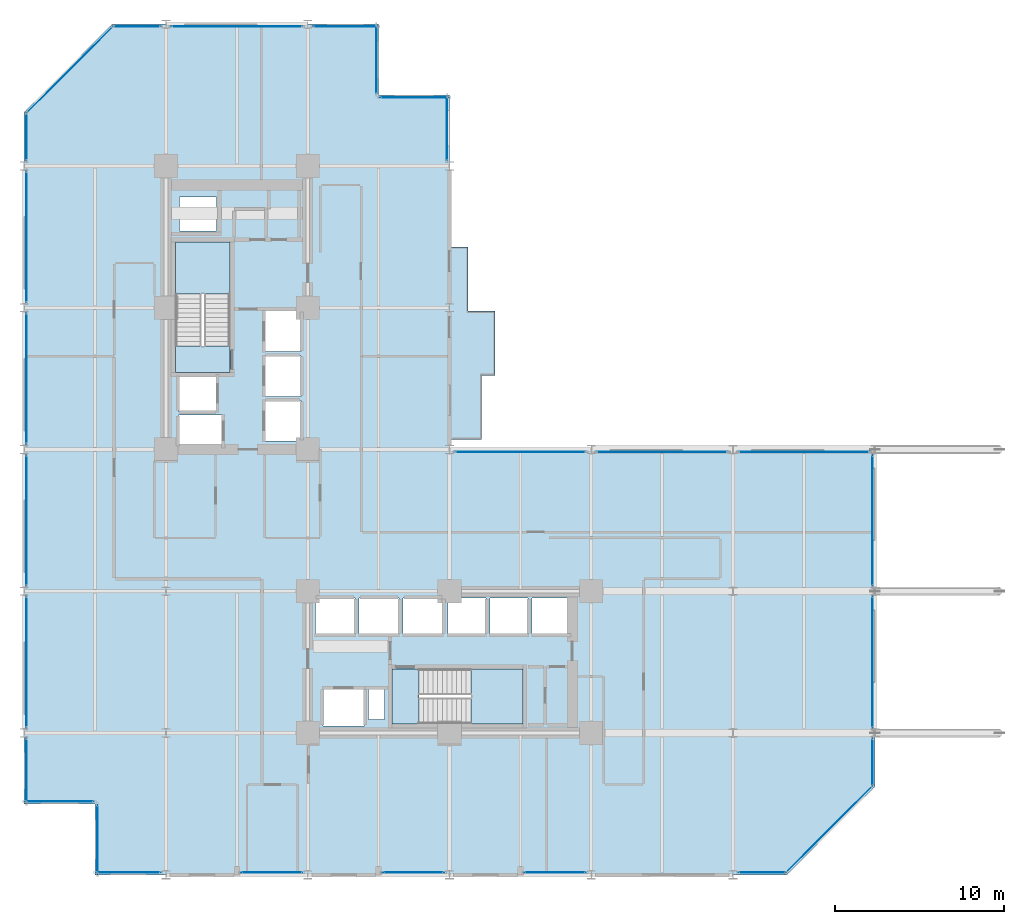
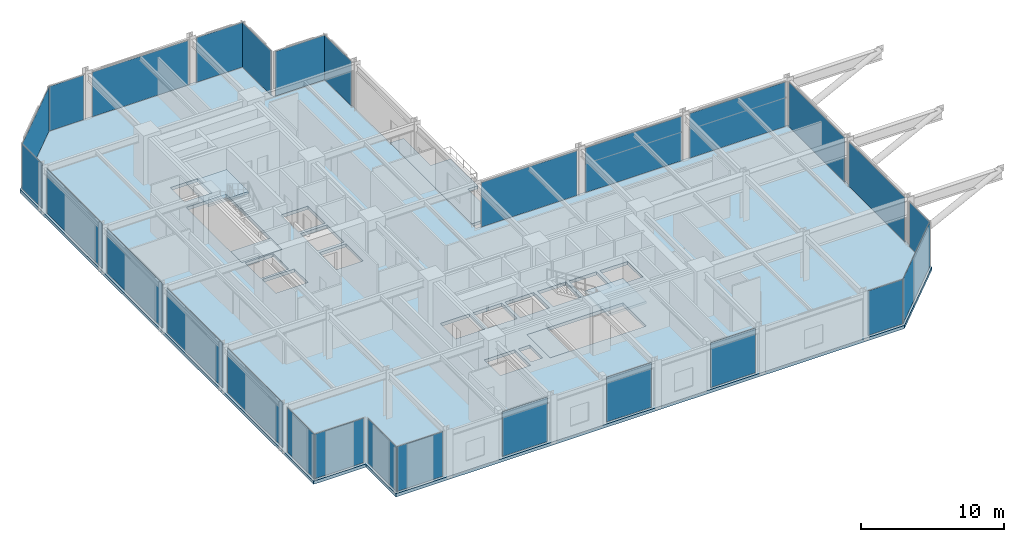
# One storey, part 18 of 25: 27 plates, 6 slabs, 29 elements without a shape of their own.
"""IFC4 building model written with IfcOpenShell, lengths in metres."""

from ifc_helpers import new_model, si_unit, direction, frame, origin, origin_2d, place, context, subcontext, project, spatial, polyline, rectangle, outline, extrude, material, layer, layer_set, type_object, element, aggregate, save


model = new_model("IFC4")

# Units and contexts
model_context = context("Model", 3, precision=1e-05, world=origin(), true_north=direction((0.0, 1.0)))
body_context = subcontext(model_context, "Body", "Model", "MODEL_VIEW")
ifc_project = project(units=[si_unit("LENGTHUNIT", "METRE"), si_unit("AREAUNIT", "SQUARE_METRE"), si_unit("VOLUMEUNIT", "CUBIC_METRE"), si_unit("PLANEANGLEUNIT", "RADIAN"), si_unit("MASSUNIT", "GRAM", prefix="KILO")], contexts=[model_context])

# Site, building, storey
site_placement = place(None, origin())
site = spatial("IfcSite", under=ifc_project, at=site_placement, CompositionType="ELEMENT")
building_placement = place(site_placement, origin())
building = spatial("IfcBuilding", under=site, at=building_placement, Name="Nerrivon Quay Data Exchange", CompositionType="ELEMENT")
storey_placement = place(building_placement, frame((0.0, 0.0, 58.39990234375)))
storey = spatial("IfcBuildingStorey", under=building, at=storey_placement, Name="L13", CompositionType="ELEMENT", Elevation=58.39990234375)

# Curtain wall, plate
ifc_material_1 = material(Name="Anodised aluminium 6063-T6", Category="aluminium")
ifc_layer_1 = layer(ifc_material_1, 0.219970703125)
ifc_layer_set_1 = layer_set([ifc_layer_1], Name="Anodised aluminium 6063-T6")
curtain_wall_type = type_object("IfcCurtainWallType", Name="CW-SYS-01", PredefinedType="NOTDEFINED", material=ifc_layer_set_1)
curtain_wall_1_placement = place(storey_placement, origin())
curtain_wall_1 = element("IfcCurtainWall", 1, at=curtain_wall_1_placement, inside=storey, type_object=curtain_wall_type, Name="L13 Unitised Curtain Wall 1", PredefinedType="NOTDEFINED")
ifc_material_2 = material(Name="Double-glazed low-E solar control glass", Category="glass")
ifc_layer_2 = layer(ifc_material_2, 0.028076171875)
ifc_layer_set_2 = layer_set([ifc_layer_2], Name="Double-glazed low-E solar control glass")
plate_type = type_object("IfcPlateType", Name="CWP-GLZ-28", PredefinedType="CURTAIN_PANEL", material=ifc_layer_set_2)
plate_1_placement = place(storey_placement, frame((47.700927734375, 2.698974609375, 0.065185546875), z_axis=(0.0, 0.0, 1.0), x_axis=(-0.707106781187, -0.707106781187, 0.0)))
plate_1 = element("IfcPlate", 2, at=plate_1_placement, type_object=plate_type, Name="CW01 panel 1.1", PredefinedType="CURTAIN_PANEL", context=body_context, shape_type="SweptSolid", body=[
    extrude(rectangle(XDim=7.203857421875, YDim=0.028076171875, at=origin_2d()), origin(), (0.0, 0.0, 1.0), 3.794921875),
])
aggregate(curtain_wall_1, [plate_1])

curtain_wall_2_placement = place(storey_placement, origin())
curtain_wall_2 = element("IfcCurtainWall", 3, at=curtain_wall_2_placement, inside=storey, type_object=curtain_wall_type, Name="L13 Unitised Curtain Wall 2", PredefinedType="NOTDEFINED")
plate_2_placement = place(storey_placement, frame((43.72509765625, 0.139892578125, 0.065185546875), z_axis=(0.0, 0.0, 1.0), x_axis=(-1.0, 0.0, 0.0)))
plate_2 = element("IfcPlate", 4, at=plate_2_placement, type_object=plate_type, Name="CW01 panel 1.1", PredefinedType="CURTAIN_PANEL", context=body_context, shape_type="SweptSolid", body=[
    extrude(rectangle(XDim=2.800048828125, YDim=0.028076171875, at=origin_2d()), origin(), (0.0, 0.0, 1.0), 3.794921875),
])
aggregate(curtain_wall_2, [plate_2])

curtain_wall_3_placement = place(storey_placement, origin())
curtain_wall_3 = element("IfcCurtainWall", 5, at=curtain_wall_3_placement, inside=storey, type_object=curtain_wall_type, Name="L13 Unitised Curtain Wall 4", PredefinedType="NOTDEFINED")
plate_3_placement = place(storey_placement, frame((31.46240234375, 0.139892578125, 0.065185546875), z_axis=(0.0, 0.0, 1.0), x_axis=(-1.0, 0.0, 0.0)))
plate_3 = element("IfcPlate", 6, at=plate_3_placement, type_object=plate_type, Name="CW01 panel 1.1", PredefinedType="CURTAIN_PANEL", context=body_context, shape_type="SweptSolid", body=[
    extrude(rectangle(XDim=3.625, YDim=0.028076171875, at=origin_2d()), origin(), (0.0, 0.0, 1.0), 3.794921875),
])
aggregate(curtain_wall_3, [plate_3])

curtain_wall_4_placement = place(storey_placement, origin())
curtain_wall_4 = element("IfcCurtainWall", 7, at=curtain_wall_4_placement, inside=storey, type_object=curtain_wall_type, Name="L13 Unitised Curtain Wall 6", PredefinedType="NOTDEFINED")
plate_4_placement = place(storey_placement, frame((23.0625, 0.139892578125, 0.065185546875), z_axis=(0.0, 0.0, 1.0), x_axis=(-1.0, 0.0, 0.0)))
plate_4 = element("IfcPlate", 8, at=plate_4_placement, type_object=plate_type, Name="CW01 panel 1.1", PredefinedType="CURTAIN_PANEL", context=body_context, shape_type="SweptSolid", body=[
    extrude(rectangle(XDim=3.625, YDim=0.028076171875, at=origin_2d()), origin(), (0.0, 0.0, 1.0), 3.794921875),
])
aggregate(curtain_wall_4, [plate_4])

curtain_wall_5_placement = place(storey_placement, origin())
curtain_wall_5 = element("IfcCurtainWall", 9, at=curtain_wall_5_placement, inside=storey, type_object=curtain_wall_type, Name="L13 Unitised Curtain Wall 8", PredefinedType="NOTDEFINED")
plate_5_placement = place(storey_placement, frame((14.66259765625, 0.139892578125, 0.065185546875), z_axis=(0.0, 0.0, 1.0), x_axis=(-1.0, 0.0, 0.0)))
plate_5 = element("IfcPlate", 10, at=plate_5_placement, type_object=plate_type, Name="CW01 panel 1.1", PredefinedType="CURTAIN_PANEL", context=body_context, shape_type="SweptSolid", body=[
    extrude(rectangle(XDim=3.625, YDim=0.028076171875, at=origin_2d()), origin(), (0.0, 0.0, 1.0), 3.794921875),
])
aggregate(curtain_wall_5, [plate_5])

curtain_wall_6_placement = place(storey_placement, origin())
curtain_wall_6 = element("IfcCurtainWall", 11, at=curtain_wall_6_placement, inside=storey, type_object=curtain_wall_type, Name="L13 Unitised Curtain Wall 10", PredefinedType="NOTDEFINED")
plate_6_placement = place(storey_placement, frame((6.175048828125, 0.139892578125, 0.065185546875), z_axis=(0.0, 0.0, 1.0), x_axis=(-1.0, 0.0, 0.0)))
plate_6 = element("IfcPlate", 12, at=plate_6_placement, type_object=plate_type, Name="CW01 panel 1.1", PredefinedType="CURTAIN_PANEL", context=body_context, shape_type="SweptSolid", body=[
    extrude(rectangle(XDim=3.800048828125, YDim=0.028076171875, at=origin_2d()), origin(), (0.0, 0.0, 1.0), 3.794921875),
])
aggregate(curtain_wall_6, [plate_6])

curtain_wall_7_placement = place(storey_placement, origin())
curtain_wall_7 = element("IfcCurtainWall", 13, at=curtain_wall_7_placement, inside=storey, type_object=curtain_wall_type, Name="L13 Unitised Curtain Wall 11", PredefinedType="NOTDEFINED")
plate_7_placement = place(storey_placement, frame((4.340087890625, 2.10009765625, 0.065185546875), z_axis=(0.0, 0.0, 1.0), x_axis=(0.0, 1.0, 0.0)))
plate_7 = element("IfcPlate", 14, at=plate_7_placement, type_object=plate_type, Name="CW01 panel 1.1", PredefinedType="CURTAIN_PANEL", context=body_context, shape_type="SweptSolid", body=[
    extrude(rectangle(XDim=4.050048828125, YDim=0.028076171875, at=origin_2d()), origin(), (0.0, 0.0, 1.0), 3.794921875),
])
aggregate(curtain_wall_7, [plate_7])

curtain_wall_8_placement = place(storey_placement, origin())
curtain_wall_8 = element("IfcCurtainWall", 15, at=curtain_wall_8_placement, inside=storey, type_object=curtain_wall_type, Name="L13 Unitised Curtain Wall 12", PredefinedType="NOTDEFINED")
plate_8_placement = place(storey_placement, frame((2.10009765625, 4.340087890625, 0.065185546875), z_axis=(0.0, 0.0, 1.0), x_axis=(-1.0, 0.0, 0.0)))
plate_8 = element("IfcPlate", 16, at=plate_8_placement, type_object=plate_type, Name="CW01 panel 1.1", PredefinedType="CURTAIN_PANEL", context=body_context, shape_type="SweptSolid", body=[
    extrude(rectangle(XDim=4.050048828125, YDim=0.028076171875, at=origin_2d()), origin(), (0.0, 0.0, 1.0), 3.794921875),
])
aggregate(curtain_wall_8, [plate_8])

curtain_wall_9_placement = place(storey_placement, origin())
curtain_wall_9 = element("IfcCurtainWall", 17, at=curtain_wall_9_placement, inside=storey, type_object=curtain_wall_type, Name="L13 Unitised Curtain Wall 13", PredefinedType="NOTDEFINED")
plate_9_placement = place(storey_placement, frame((0.139892578125, 6.175048828125, 0.065185546875), z_axis=(0.0, 0.0, 1.0), x_axis=(0.0, 1.0, 0.0)))
plate_9 = element("IfcPlate", 18, at=plate_9_placement, type_object=plate_type, Name="CW01 panel 1.1", PredefinedType="CURTAIN_PANEL", context=body_context, shape_type="SweptSolid", body=[
    extrude(rectangle(XDim=3.800048828125, YDim=0.028076171875, at=origin_2d()), origin(), (0.0, 0.0, 1.0), 3.794921875),
])
aggregate(curtain_wall_9, [plate_9])

curtain_wall_10_placement = place(storey_placement, origin())
curtain_wall_10 = element("IfcCurtainWall", 19, at=curtain_wall_10_placement, inside=storey, type_object=curtain_wall_type, Name="L13 Unitised Curtain Wall 14", PredefinedType="NOTDEFINED")
plate_10_placement = place(storey_placement, frame((0.139892578125, 12.60009765625, 0.065185546875), z_axis=(0.0, 0.0, 1.0), x_axis=(0.0, 1.0, 0.0)))
plate_10 = element("IfcPlate", 20, at=plate_10_placement, type_object=plate_type, Name="CW01 panel 1.1", PredefinedType="CURTAIN_PANEL", context=body_context, shape_type="SweptSolid", body=[
    extrude(rectangle(XDim=7.75, YDim=0.028076171875, at=origin_2d()), origin(), (0.0, 0.0, 1.0), 3.794921875),
])
aggregate(curtain_wall_10, [plate_10])

curtain_wall_11_placement = place(storey_placement, origin())
curtain_wall_11 = element("IfcCurtainWall", 21, at=curtain_wall_11_placement, inside=storey, type_object=curtain_wall_type, Name="L13 Unitised Curtain Wall 15", PredefinedType="NOTDEFINED")
plate_11_placement = place(storey_placement, frame((0.139892578125, 21.0, 0.065185546875), z_axis=(0.0, 0.0, 1.0), x_axis=(0.0, 1.0, 0.0)))
plate_11 = element("IfcPlate", 22, at=plate_11_placement, type_object=plate_type, Name="CW01 panel 1.1", PredefinedType="CURTAIN_PANEL", context=body_context, shape_type="SweptSolid", body=[
    extrude(rectangle(XDim=7.75, YDim=0.028076171875, at=origin_2d()), origin(), (0.0, 0.0, 1.0), 3.794921875),
])
aggregate(curtain_wall_11, [plate_11])

curtain_wall_12_placement = place(storey_placement, origin())
curtain_wall_12 = element("IfcCurtainWall", 23, at=curtain_wall_12_placement, inside=storey, type_object=curtain_wall_type, Name="L13 Unitised Curtain Wall 16", PredefinedType="NOTDEFINED")
plate_12_placement = place(storey_placement, frame((0.139892578125, 29.39990234375, 0.065185546875), z_axis=(0.0, 0.0, 1.0), x_axis=(0.0, 1.0, 0.0)))
plate_12 = element("IfcPlate", 24, at=plate_12_placement, type_object=plate_type, Name="CW01 panel 1.1", PredefinedType="CURTAIN_PANEL", context=body_context, shape_type="SweptSolid", body=[
    extrude(rectangle(XDim=7.75, YDim=0.028076171875, at=origin_2d()), origin(), (0.0, 0.0, 1.0), 3.794921875),
])
aggregate(curtain_wall_12, [plate_12])

curtain_wall_13_placement = place(storey_placement, origin())
curtain_wall_13 = element("IfcCurtainWall", 25, at=curtain_wall_13_placement, inside=storey, type_object=curtain_wall_type, Name="L13 Unitised Curtain Wall 17", PredefinedType="NOTDEFINED")
plate_13_placement = place(storey_placement, frame((0.139892578125, 37.800048828125, 0.065185546875), z_axis=(0.0, 0.0, 1.0), x_axis=(0.0, 1.0, 0.0)))
plate_13 = element("IfcPlate", 26, at=plate_13_placement, type_object=plate_type, Name="CW01 panel 1.1", PredefinedType="CURTAIN_PANEL", context=body_context, shape_type="SweptSolid", body=[
    extrude(rectangle(XDim=7.75, YDim=0.028076171875, at=origin_2d()), origin(), (0.0, 0.0, 1.0), 3.794921875),
])
aggregate(curtain_wall_13, [plate_13])

curtain_wall_14_placement = place(storey_placement, origin())
curtain_wall_14 = element("IfcCurtainWall", 27, at=curtain_wall_14_placement, inside=storey, type_object=curtain_wall_type, Name="L13 Unitised Curtain Wall 18", PredefinedType="NOTDEFINED")
plate_14_placement = place(storey_placement, frame((0.139892578125, 43.72509765625, 0.065185546875), z_axis=(0.0, 0.0, 1.0), x_axis=(0.0, 1.0, 0.0)))
plate_14 = element("IfcPlate", 28, at=plate_14_placement, type_object=plate_type, Name="CW01 panel 1.1", PredefinedType="CURTAIN_PANEL", context=body_context, shape_type="SweptSolid", body=[
    extrude(rectangle(XDim=2.800048828125, YDim=0.028076171875, at=origin_2d()), origin(), (0.0, 0.0, 1.0), 3.794921875),
])
aggregate(curtain_wall_14, [plate_14])

curtain_wall_15_placement = place(storey_placement, origin())
curtain_wall_15 = element("IfcCurtainWall", 29, at=curtain_wall_15_placement, inside=storey, type_object=curtain_wall_type, Name="L13 Unitised Curtain Wall 19", PredefinedType="NOTDEFINED")
plate_15_placement = place(storey_placement, frame((2.698974609375, 47.700927734375, 0.065185546875), z_axis=(0.0, 0.0, 1.0), x_axis=(0.707106781187, 0.707106781187, 0.0)))
plate_15 = element("IfcPlate", 30, at=plate_15_placement, type_object=plate_type, Name="CW01 panel 1.1", PredefinedType="CURTAIN_PANEL", context=body_context, shape_type="SweptSolid", body=[
    extrude(rectangle(XDim=7.203857421875, YDim=0.028076171875, at=origin_2d()), origin(), (0.0, 0.0, 1.0), 3.794921875),
])
aggregate(curtain_wall_15, [plate_15])

curtain_wall_16_placement = place(storey_placement, origin())
curtain_wall_16 = element("IfcCurtainWall", 31, at=curtain_wall_16_placement, inside=storey, type_object=curtain_wall_type, Name="L13 Unitised Curtain Wall 20", PredefinedType="NOTDEFINED")
plate_16_placement = place(storey_placement, frame((6.675048828125, 50.260009765625, 0.065185546875), z_axis=(0.0, 0.0, 1.0), x_axis=(1.0, 0.0, 0.0)))
plate_16 = element("IfcPlate", 32, at=plate_16_placement, type_object=plate_type, Name="CW01 panel 1.1", PredefinedType="CURTAIN_PANEL", context=body_context, shape_type="SweptSolid", body=[
    extrude(rectangle(XDim=2.800048828125, YDim=0.028076171875, at=origin_2d()), origin(), (0.0, 0.0, 1.0), 3.794921875),
])
aggregate(curtain_wall_16, [plate_16])

curtain_wall_17_placement = place(storey_placement, origin())
curtain_wall_17 = element("IfcCurtainWall", 33, at=curtain_wall_17_placement, inside=storey, type_object=curtain_wall_type, Name="L13 Unitised Curtain Wall 21", PredefinedType="NOTDEFINED")
plate_17_placement = place(storey_placement, frame((12.60009765625, 50.260009765625, 0.065185546875), z_axis=(0.0, 0.0, 1.0), x_axis=(1.0, 0.0, 0.0)))
plate_17 = element("IfcPlate", 34, at=plate_17_placement, type_object=plate_type, Name="CW01 panel 1.1", PredefinedType="CURTAIN_PANEL", context=body_context, shape_type="SweptSolid", body=[
    extrude(rectangle(XDim=7.75, YDim=0.028076171875, at=origin_2d()), origin(), (0.0, 0.0, 1.0), 3.794921875),
])
aggregate(curtain_wall_17, [plate_17])

curtain_wall_18_placement = place(storey_placement, origin())
curtain_wall_18 = element("IfcCurtainWall", 35, at=curtain_wall_18_placement, inside=storey, type_object=curtain_wall_type, Name="L13 Unitised Curtain Wall 22", PredefinedType="NOTDEFINED")
plate_18_placement = place(storey_placement, frame((19.02490234375, 50.260009765625, 0.065185546875), z_axis=(0.0, 0.0, 1.0), x_axis=(1.0, 0.0, 0.0)))
plate_18 = element("IfcPlate", 36, at=plate_18_placement, type_object=plate_type, Name="CW01 panel 1.1", PredefinedType="CURTAIN_PANEL", context=body_context, shape_type="SweptSolid", body=[
    extrude(rectangle(XDim=3.800048828125, YDim=0.028076171875, at=origin_2d()), origin(), (0.0, 0.0, 1.0), 3.794921875),
])
aggregate(curtain_wall_18, [plate_18])

curtain_wall_19_placement = place(storey_placement, origin())
curtain_wall_19 = element("IfcCurtainWall", 37, at=curtain_wall_19_placement, inside=storey, type_object=curtain_wall_type, Name="L13 Unitised Curtain Wall 23", PredefinedType="NOTDEFINED")
plate_19_placement = place(storey_placement, frame((20.860107421875, 48.300048828125, 0.065185546875), z_axis=(0.0, 0.0, 1.0), x_axis=(0.0, -1.0, 0.0)))
plate_19 = element("IfcPlate", 38, at=plate_19_placement, type_object=plate_type, Name="CW01 panel 1.1", PredefinedType="CURTAIN_PANEL", context=body_context, shape_type="SweptSolid", body=[
    extrude(rectangle(XDim=4.050048828125, YDim=0.028076171875, at=origin_2d()), origin(), (0.0, 0.0, 1.0), 3.794921875),
])
aggregate(curtain_wall_19, [plate_19])

curtain_wall_20_placement = place(storey_placement, origin())
curtain_wall_20 = element("IfcCurtainWall", 39, at=curtain_wall_20_placement, inside=storey, type_object=curtain_wall_type, Name="L13 Unitised Curtain Wall 24", PredefinedType="NOTDEFINED")
plate_20_placement = place(storey_placement, frame((23.10009765625, 46.06005859375, 0.065185546875), z_axis=(0.0, 0.0, 1.0), x_axis=(1.0, 0.0, 0.0)))
plate_20 = element("IfcPlate", 40, at=plate_20_placement, type_object=plate_type, Name="CW01 panel 1.1", PredefinedType="CURTAIN_PANEL", context=body_context, shape_type="SweptSolid", body=[
    extrude(rectangle(XDim=4.050048828125, YDim=0.028076171875, at=origin_2d()), origin(), (0.0, 0.0, 1.0), 3.794921875),
])
aggregate(curtain_wall_20, [plate_20])

curtain_wall_21_placement = place(storey_placement, origin())
curtain_wall_21 = element("IfcCurtainWall", 41, at=curtain_wall_21_placement, inside=storey, type_object=curtain_wall_type, Name="L13 Unitised Curtain Wall 25", PredefinedType="NOTDEFINED")
plate_21_placement = place(storey_placement, frame((25.06005859375, 44.22509765625, 0.065185546875), z_axis=(0.0, 0.0, 1.0), x_axis=(0.0, -1.0, 0.0)))
plate_21 = element("IfcPlate", 42, at=plate_21_placement, type_object=plate_type, Name="CW01 panel 1.1", PredefinedType="CURTAIN_PANEL", context=body_context, shape_type="SweptSolid", body=[
    extrude(rectangle(XDim=3.800048828125, YDim=0.028076171875, at=origin_2d()), origin(), (0.0, 0.0, 1.0), 3.794921875),
])
aggregate(curtain_wall_21, [plate_21])

curtain_wall_22_placement = place(storey_placement, origin())
curtain_wall_22 = element("IfcCurtainWall", 43, at=curtain_wall_22_placement, inside=storey, type_object=curtain_wall_type, Name="L13 Unitised Curtain Wall 28", PredefinedType="NOTDEFINED")
plate_22_placement = place(storey_placement, frame((29.39990234375, 25.06005859375, 0.065185546875), z_axis=(0.0, 0.0, 1.0), x_axis=(1.0, 0.0, 0.0)))
plate_22 = element("IfcPlate", 44, at=plate_22_placement, type_object=plate_type, Name="CW01 panel 1.1", PredefinedType="CURTAIN_PANEL", context=body_context, shape_type="SweptSolid", body=[
    extrude(rectangle(XDim=7.75, YDim=0.028076171875, at=origin_2d()), origin(), (0.0, 0.0, 1.0), 3.794921875),
])
aggregate(curtain_wall_22, [plate_22])

curtain_wall_23_placement = place(storey_placement, origin())
curtain_wall_23 = element("IfcCurtainWall", 45, at=curtain_wall_23_placement, inside=storey, type_object=curtain_wall_type, Name="L13 Unitised Curtain Wall 29", PredefinedType="NOTDEFINED")
plate_23_placement = place(storey_placement, frame((37.800048828125, 25.06005859375, 0.065185546875), z_axis=(0.0, 0.0, 1.0), x_axis=(1.0, 0.0, 0.0)))
plate_23 = element("IfcPlate", 46, at=plate_23_placement, type_object=plate_type, Name="CW01 panel 1.1", PredefinedType="CURTAIN_PANEL", context=body_context, shape_type="SweptSolid", body=[
    extrude(rectangle(XDim=7.75, YDim=0.028076171875, at=origin_2d()), origin(), (0.0, 0.0, 1.0), 3.794921875),
])
aggregate(curtain_wall_23, [plate_23])

curtain_wall_24_placement = place(storey_placement, origin())
curtain_wall_24 = element("IfcCurtainWall", 47, at=curtain_wall_24_placement, inside=storey, type_object=curtain_wall_type, Name="L13 Unitised Curtain Wall 30", PredefinedType="NOTDEFINED")
plate_24_placement = place(storey_placement, frame((46.199951171875, 25.06005859375, 0.065185546875), z_axis=(0.0, 0.0, 1.0), x_axis=(1.0, 0.0, 0.0)))
plate_24 = element("IfcPlate", 48, at=plate_24_placement, type_object=plate_type, Name="CW01 panel 1.1", PredefinedType="CURTAIN_PANEL", context=body_context, shape_type="SweptSolid", body=[
    extrude(rectangle(XDim=7.75, YDim=0.028076171875, at=origin_2d()), origin(), (0.0, 0.0, 1.0), 3.794921875),
])
aggregate(curtain_wall_24, [plate_24])

curtain_wall_25_placement = place(storey_placement, origin())
curtain_wall_25 = element("IfcCurtainWall", 49, at=curtain_wall_25_placement, inside=storey, type_object=curtain_wall_type, Name="L13 Unitised Curtain Wall 31", PredefinedType="NOTDEFINED")
plate_25_placement = place(storey_placement, frame((50.260009765625, 21.0, 0.065185546875), z_axis=(0.0, 0.0, 1.0), x_axis=(0.0, -1.0, 0.0)))
plate_25 = element("IfcPlate", 50, at=plate_25_placement, type_object=plate_type, Name="CW01 panel 1.1", PredefinedType="CURTAIN_PANEL", context=body_context, shape_type="SweptSolid", body=[
    extrude(rectangle(XDim=7.75, YDim=0.028076171875, at=origin_2d()), origin(), (0.0, 0.0, 1.0), 3.794921875),
])
aggregate(curtain_wall_25, [plate_25])

curtain_wall_26_placement = place(storey_placement, origin())
curtain_wall_26 = element("IfcCurtainWall", 51, at=curtain_wall_26_placement, inside=storey, type_object=curtain_wall_type, Name="L13 Unitised Curtain Wall 32", PredefinedType="NOTDEFINED")
plate_26_placement = place(storey_placement, frame((50.260009765625, 12.60009765625, 0.065185546875), z_axis=(0.0, 0.0, 1.0), x_axis=(0.0, -1.0, 0.0)))
plate_26 = element("IfcPlate", 52, at=plate_26_placement, type_object=plate_type, Name="CW01 panel 1.1", PredefinedType="CURTAIN_PANEL", context=body_context, shape_type="SweptSolid", body=[
    extrude(rectangle(XDim=7.75, YDim=0.028076171875, at=origin_2d()), origin(), (0.0, 0.0, 1.0), 3.794921875),
])
aggregate(curtain_wall_26, [plate_26])

curtain_wall_27_placement = place(storey_placement, origin())
curtain_wall_27 = element("IfcCurtainWall", 53, at=curtain_wall_27_placement, inside=storey, type_object=curtain_wall_type, Name="L13 Unitised Curtain Wall 33", PredefinedType="NOTDEFINED")
plate_27_placement = place(storey_placement, frame((50.260009765625, 6.675048828125, 0.065185546875), z_axis=(0.0, 0.0, 1.0), x_axis=(0.0, -1.0, 0.0)))
plate_27 = element("IfcPlate", 54, at=plate_27_placement, type_object=plate_type, Name="CW01 panel 1.1", PredefinedType="CURTAIN_PANEL", context=body_context, shape_type="SweptSolid", body=[
    extrude(rectangle(XDim=2.800048828125, YDim=0.028076171875, at=origin_2d()), origin(), (0.0, 0.0, 1.0), 3.794921875),
])
aggregate(curtain_wall_27, [plate_27])

# Slab
ifc_material_3 = material(Name="Precast white architectural concrete N50 (50 MPa)", Category="concrete")
ifc_layer_3 = layer(ifc_material_3, 0.25)
ifc_layer_set_3 = layer_set([ifc_layer_3], Name="Precast white architectural concrete N50 (50 MPa)")
slab_type_1 = type_object("IfcSlabType", Name="SLB-BAL-250", PredefinedType="FLOOR", material=ifc_layer_set_3)
slab_1_placement = place(storey_placement, frame((0.0, 0.0, -0.25)))
element("IfcSlab", 55, at=slab_1_placement, inside=storey, type_object=slab_type_1, Name="L13 Waterfront Subtropical Verandah", PredefinedType="FLOOR", context=body_context, shape_type="SweptSolid", body=[
    extrude(outline(polyline([(27.10009765625, 29.60009765625), (27.89990234375, 29.60009765625), (27.89990234375, 33.39990234375), (26.300048828125, 33.39990234375), (26.300048828125, 37.199951171875), (25.199951171875, 37.199951171875), (25.199951171875, 33.39990234375), (25.199951171875, 29.60009765625), (25.199951171875, 25.800048828125), (27.10009765625, 25.800048828125), (27.10009765625, 29.60009765625)])), origin(), (0.0, 0.0, 1.0), 0.25),
])

# Stair, slab
ifc_material_4 = material(Name="Concrete N50 (50 MPa)", Category="concrete")
stair_type = type_object("IfcStairType", Name="STAIR-DOG-42", PredefinedType="HALF_TURN_STAIR", material=ifc_material_4)
stair_1_placement = place(storey_placement, origin())
stair_1 = element("IfcStair", 56, at=stair_1_placement, inside=storey, type_object=stair_type, Name="L13 West Core Fire Stair ST01", PredefinedType="HALF_TURN_STAIR")
ifc_layer_4 = layer(ifc_material_4, 0.199951171875)
ifc_layer_set_4 = layer_set([ifc_layer_4], Name="Concrete N50 (50 MPa)")
slab_type_2 = type_object("IfcSlabType", Name="SLB-LAND-200", PredefinedType="LANDING", material=ifc_layer_set_4)
slab_2_placement = place(storey_placement, frame((0.0, 0.0, 1.900146484375)))
slab_2 = element("IfcSlab", 57, at=slab_2_placement, type_object=slab_type_2, Name="ST01 landing 1", PredefinedType="LANDING", context=body_context, shape_type="SweptSolid", body=[
    extrude(outline(polyline([(12.199951171875, 34.409912109375), (12.199951171875, 37.5), (8.949951171875, 37.5), (8.949951171875, 34.409912109375), (12.199951171875, 34.409912109375)])), origin(), (0.0, 0.0, 1.0), 0.199951171875),
])
aggregate(stair_1, [slab_2])

# Slab
slab_3_placement = place(storey_placement, frame((0.0, 0.0, -0.199951171875)))
element("IfcSlab", 58, at=slab_3_placement, inside=storey, type_object=slab_type_2, Name="L13 ST01 floor landing", PredefinedType="LANDING", context=body_context, shape_type="SweptSolid", body=[
    extrude(outline(polyline([(12.199951171875, 29.75), (12.199951171875, 31.330078125), (8.949951171875, 31.330078125), (8.949951171875, 29.75), (12.199951171875, 29.75)])), origin(), (0.0, 0.0, 1.0), 0.199951171875),
])

# Stair, slab
stair_2_placement = place(storey_placement, origin())
stair_2 = element("IfcStair", 59, at=stair_2_placement, inside=storey, type_object=stair_type, Name="L13 East Core Fire Stair ST02", PredefinedType="HALF_TURN_STAIR")
slab_4_placement = place(storey_placement, frame((0.0, 0.0, 1.900146484375)))
slab_4 = element("IfcSlab", 60, at=slab_4_placement, type_object=slab_type_2, Name="ST02 landing 1", PredefinedType="LANDING", context=body_context, shape_type="SweptSolid", body=[
    extrude(outline(polyline([(26.4599609375, 8.949951171875), (29.550048828125, 8.949951171875), (29.550048828125, 12.199951171875), (26.4599609375, 12.199951171875), (26.4599609375, 8.949951171875)])), origin(), (0.0, 0.0, 1.0), 0.199951171875),
])
aggregate(stair_2, [slab_4])

# Slabs
slab_5_placement = place(storey_placement, frame((0.0, 0.0, -0.199951171875)))
element("IfcSlab", 61, at=slab_5_placement, inside=storey, type_object=slab_type_2, Name="L13 ST02 floor landing", PredefinedType="LANDING", context=body_context, shape_type="SweptSolid", body=[
    extrude(outline(polyline([(21.800048828125, 8.949951171875), (23.3798828125, 8.949951171875), (23.3798828125, 12.199951171875), (21.800048828125, 12.199951171875), (21.800048828125, 8.949951171875)])), origin(), (0.0, 0.0, 1.0), 0.199951171875),
])
ifc_layer_5 = layer(ifc_material_4, 0.27490234375)
ifc_layer_set_5 = layer_set([ifc_layer_5], Name="Concrete N50 (50 MPa)")
slab_type_3 = type_object("IfcSlabType", Name="SLB-TOW-275", PredefinedType="FLOOR", material=ifc_layer_set_5)
slab_6_placement = place(storey_placement, frame((0.0, 0.0, -0.27490234375)))
element("IfcSlab", 62, at=slab_6_placement, inside=storey, type_object=slab_type_3, Name="L13 Primary Structural Slab", PredefinedType="FLOOR", context=body_context, shape_type="SweptSolid", body=[
    extrude(outline(polyline([(50.39990234375, 25.199951171875), (25.199951171875, 25.199951171875), (25.199951171875, 46.199951171875), (21.0, 46.199951171875), (21.0, 50.39990234375), (5.199951171875, 50.39990234375), (0.0, 45.199951171875), (0.0, 4.199951171875), (4.199951171875, 4.199951171875), (4.199951171875, 0.0), (45.199951171875, 0.0), (50.39990234375, 5.199951171875), (50.39990234375, 25.199951171875)]), holes=[polyline([(8.949951171875, 29.75), (8.949951171875, 37.5), (12.199951171875, 37.5), (12.199951171875, 29.75), (8.949951171875, 29.75)]), polyline([(21.800048828125, 12.199951171875), (29.550048828125, 12.199951171875), (29.550048828125, 8.949951171875), (21.800048828125, 8.949951171875), (21.800048828125, 12.199951171875)]), polyline([(30.10009765625, 16.39990234375), (32.35009765625, 16.39990234375), (32.35009765625, 14.25), (30.10009765625, 14.25), (30.10009765625, 16.39990234375)]), polyline([(27.60009765625, 16.39990234375), (29.85009765625, 16.39990234375), (29.85009765625, 14.25), (27.60009765625, 14.25), (27.60009765625, 16.39990234375)]), polyline([(25.10009765625, 16.39990234375), (27.35009765625, 16.39990234375), (27.35009765625, 14.25), (25.10009765625, 14.25), (25.10009765625, 16.39990234375)]), polyline([(22.449951171875, 16.39990234375), (24.800048828125, 16.39990234375), (24.800048828125, 14.25), (22.449951171875, 14.25), (22.449951171875, 16.39990234375)]), polyline([(19.85009765625, 16.39990234375), (22.199951171875, 16.39990234375), (22.199951171875, 14.25), (19.85009765625, 14.25), (19.85009765625, 16.39990234375)]), polyline([(20.39990234375, 11.0), (21.35009765625, 11.0), (21.35009765625, 9.199951171875), (20.39990234375, 9.199951171875), (20.39990234375, 11.0)]), polyline([(17.699951171875, 8.830078125), (17.699951171875, 11.030029296875), (20.14990234375, 11.030029296875), (20.14990234375, 8.830078125), (17.699951171875, 8.830078125)]), polyline([(17.25, 14.25), (17.25, 16.39990234375), (19.60009765625, 16.39990234375), (19.60009765625, 14.25), (17.25, 14.25)]), polyline([(14.25, 28.10009765625), (16.39990234375, 28.10009765625), (16.39990234375, 25.699951171875), (14.25, 25.699951171875), (14.25, 28.10009765625)]), polyline([(14.25, 30.75), (16.39990234375, 30.75), (16.39990234375, 28.35009765625), (14.25, 28.35009765625), (14.25, 30.75)]), polyline([(14.25, 33.39990234375), (16.39990234375, 33.39990234375), (16.39990234375, 31.0), (14.25, 31.0), (14.25, 33.39990234375)]), polyline([(9.14990234375, 27.25), (11.75, 27.25), (11.75, 25.35009765625), (9.14990234375, 25.35009765625), (9.14990234375, 27.25)]), polyline([(9.14990234375, 29.60009765625), (11.39990234375, 29.60009765625), (11.39990234375, 27.449951171875), (9.14990234375, 27.449951171875), (9.14990234375, 29.60009765625)]), polyline([(9.199951171875, 40.14990234375), (11.39990234375, 40.14990234375), (11.39990234375, 38.14990234375), (9.199951171875, 38.14990234375), (9.199951171875, 40.14990234375)])]), origin(), (0.0, 0.0, 1.0), 0.27490234375),
])

save(model, "model.ifc")
